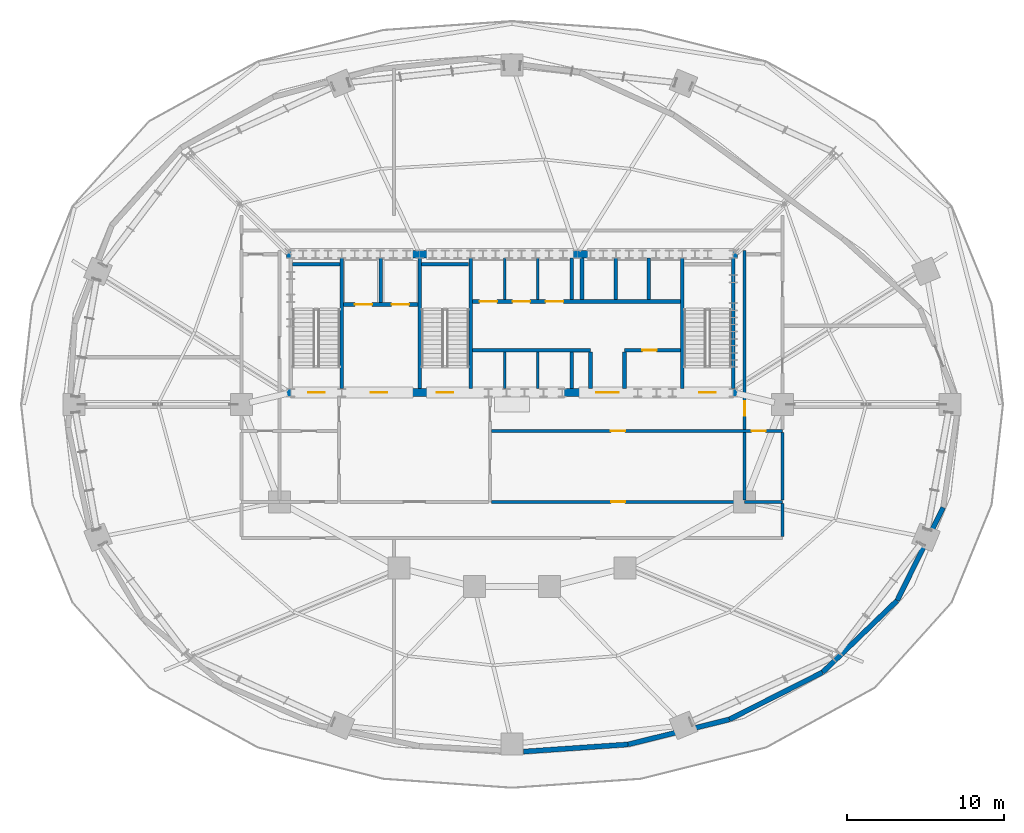
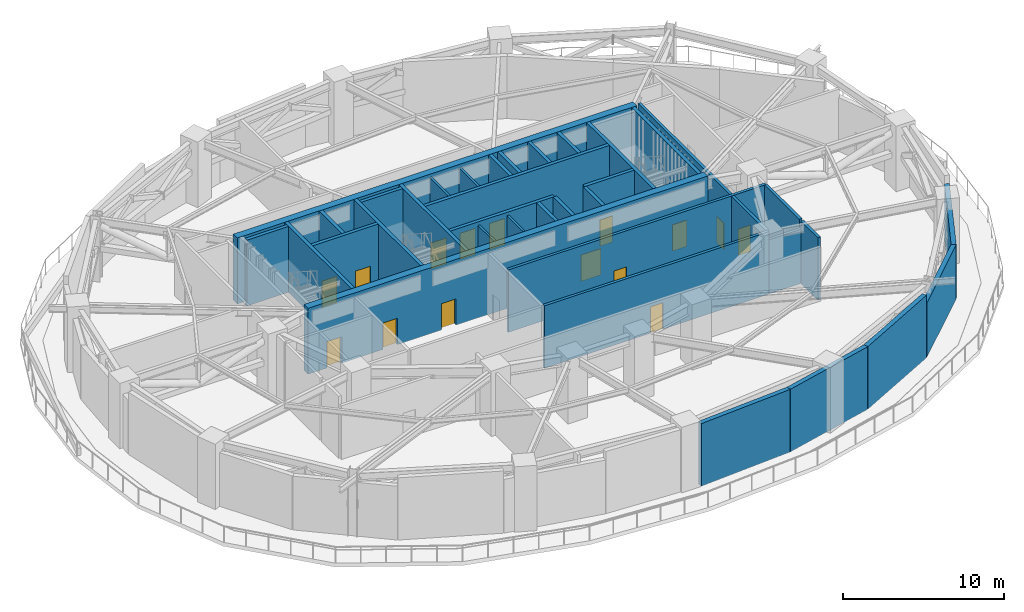
# One storey, part 15 of 18: 37 walls, 15 doors, 15 openings.
"""IFC4 building model written with IfcOpenShell, lengths in metres."""

from ifc_helpers import new_model, si_unit, direction, frame, frame_2d, origin, place, context, subcontext, project, spatial, rectangle, extrude, material, layer, layer_set, type_object, element, fill, save


model = new_model("IFC4")

# Units and contexts
model_context = context("Model", 3, precision=1e-05, world=origin(), true_north=direction((0.0, 1.0)))
body_context = subcontext(model_context, "Body", "Model", "MODEL_VIEW")
ifc_project = project(units=[si_unit("LENGTHUNIT", "METRE"), si_unit("AREAUNIT", "SQUARE_METRE"), si_unit("VOLUMEUNIT", "CUBIC_METRE"), si_unit("PLANEANGLEUNIT", "RADIAN"), si_unit("MASSUNIT", "GRAM", prefix="KILO")], contexts=[model_context])

# Site, building, storey
site_placement = place(None, origin())
site = spatial("IfcSite", under=ifc_project, at=site_placement, CompositionType="ELEMENT")
building_placement = place(site_placement, origin())
building = spatial("IfcBuilding", under=site, at=building_placement, Name="Haldorwick Loom Tower", CompositionType="ELEMENT")
storey_placement = place(building_placement, frame((0.0, 0.0, 76.800048828125)))
storey = spatial("IfcBuildingStorey", under=building, at=storey_placement, Name="L20", CompositionType="ELEMENT", Elevation=76.800048828125)

# Walls
ifc_material_1 = material(Name="Pressed Clay Face Brick and Insulated Masonry Backup Assembly", Category="masonry")
ifc_layer_1 = layer(ifc_material_1, 0.320068359375, Name="Pressed Clay Face Brick and Insulated Masonry Backup Assembly", Category="masonry")
ifc_layer_set_1 = layer_set([ifc_layer_1], Name="Pressed Clay Face Brick and Insulated Masonry Backup Assembly")
wall_type_1 = type_object("IfcWallType", Name="ARC-WL-EXT320", PredefinedType="STANDARD", material=ifc_layer_set_1)
wall_1_placement = place(storey_placement, frame((36.73388671875, 3.91259765625, 0.0), z_axis=(0.0, 0.0, 1.0), x_axis=(0.997666334616, 0.068277996261, 0.0)))
element("IfcWall", 1, at=wall_1_placement, inside=storey, type_object=wall_type_1, Name="L20 Brick Pier and Spandrel Wall 19", PredefinedType="STANDARD", context=body_context, shape_type="SweptSolid", body=[
    extrude(rectangle(XDim=6.65087890625, YDim=0.320068359375, at=frame_2d((3.325439453125, 0.0))), origin(), (0.0, 0.0, 1.0), 4.760009765625),
])
wall_2_placement = place(storey_placement, frame((43.369140625, 4.36669921875, 0.0), z_axis=(0.0, 0.0, 1.0), x_axis=(0.970927298232, 0.239374563286, 0.0)))
element("IfcWall", 2, at=wall_2_placement, inside=storey, type_object=wall_type_1, Name="L20 Brick Pier and Spandrel Wall 20", PredefinedType="STANDARD", context=body_context, shape_type="SweptSolid", body=[
    extrude(rectangle(XDim=6.65380859375, YDim=0.320068359375, at=frame_2d((3.326904296875, 0.0))), origin(), (0.0, 0.0, 1.0), 4.760009765625),
])
wall_3_placement = place(storey_placement, frame((49.82958984375, 5.95947265625, 0.0), z_axis=(0.0, 0.0, 1.0), x_axis=(0.892512503991, 0.451022649342, 0.0)))
element("IfcWall", 3, at=wall_3_placement, inside=storey, type_object=wall_type_1, Name="L20 Brick Pier and Spandrel Wall 21", PredefinedType="STANDARD", context=body_context, shape_type="SweptSolid", body=[
    extrude(rectangle(XDim=6.633056640625, YDim=0.320068359375, at=frame_2d((3.31640625, 0.0))), origin(), (0.0, 0.0, 1.0), 4.760009765625),
])
wall_4_placement = place(storey_placement, frame((55.749755859375, 8.951171875, 0.0), z_axis=(0.0, 0.0, 1.0), x_axis=(0.720465361319, 0.69349092506, 0.0)))
element("IfcWall", 4, at=wall_4_placement, inside=storey, type_object=wall_type_1, Name="L20 Brick Pier and Spandrel Wall 22", PredefinedType="STANDARD", context=body_context, shape_type="SweptSolid", body=[
    extrude(rectangle(XDim=6.59814453125, YDim=0.320068359375, at=frame_2d((3.299072265625, 0.0))), origin(), (0.0, 0.0, 1.0), 4.118896484375),
])
wall_5_placement = place(storey_placement, frame((60.50341796875, 13.52685546875, 0.0), z_axis=(0.0, 0.0, 1.0), x_axis=(0.443285429299, 0.896380515279, 0.0)))
element("IfcWall", 5, at=wall_5_placement, inside=storey, type_object=wall_type_1, Name="L20 Brick Pier and Spandrel Wall 23", PredefinedType="STANDARD", context=body_context, shape_type="SweptSolid", body=[
    extrude(rectangle(XDim=6.59521484375, YDim=0.320068359375, at=frame_2d((3.297607421875, 0.0))), origin(), (0.0, 0.0, 1.0), 4.118896484375),
])

# Wall, openings, doors
ifc_material_2 = material(Name="Fire-Rated Type X Gypsum Stud Assembly EI 120")
ifc_layer_2 = layer(ifc_material_2, 0.199951171875, Name="Fire-Rated Type X Gypsum Stud Assembly EI 120")
ifc_layer_set_2 = layer_set([ifc_layer_2], Name="Fire-Rated Type X Gypsum Stud Assembly EI 120")
wall_type_2 = type_object("IfcWallType", Name="ARC-WL-FIRE200", PredefinedType="PARTITIONING", material=ifc_layer_set_2)
wall_6_placement = place(storey_placement, frame((34.702880859375, 24.300048828125, 0.0), z_axis=(0.0, 0.0, 1.0), x_axis=(1.0, 0.0, 0.0)))
wall_6 = element("IfcWall", 6, at=wall_6_placement, inside=storey, type_object=wall_type_2, Name="L20 Interior Partition L20-PC-S2", PredefinedType="PARTITIONING", context=body_context, shape_type="SweptSolid", body=[
    extrude(rectangle(XDim=18.4970703125, YDim=0.199951171875, at=frame_2d((9.24853515625, 0.0))), origin(), (0.0, 0.0, 1.0), 4.744873046875),
])
opening_1_placement = place(wall_6_placement, frame((7.58740234375, 0.0, 0.0)))
opening_1 = element("IfcOpeningElement", 7, at=opening_1_placement, cuts=wall_6, Name="Opening D-FD60A", PredefinedType="OPENING", context=body_context, shape_type="SweptSolid", body=[
    extrude(rectangle(XDim=0.89990234375, YDim=2.0, at=frame_2d((0.449951171875, 1.0))), frame((0.0, 0.10986328125, 0.0), z_axis=(0.0, -1.0, 0.0), x_axis=(1.0, 0.0, 0.0)), (0.0, 0.0, 1.0), 0.219970703125),
])
opening_2_placement = place(wall_6_placement, frame((16.53564453125, 0.0, 0.0)))
opening_2 = element("IfcOpeningElement", 8, at=opening_2_placement, cuts=wall_6, Name="Opening D-FD60A", PredefinedType="OPENING", context=body_context, shape_type="SweptSolid", body=[
    extrude(rectangle(XDim=0.89990234375, YDim=2.0, at=frame_2d((0.449951171875, 1.0))), frame((0.0, 0.10986328125, 0.0), z_axis=(0.0, -1.0, 0.0), x_axis=(1.0, 0.0, 0.0)), (0.0, 0.0, 1.0), 0.219970703125),
])
ifc_material_3 = material(Name="Hollow Steel Fire Door Assembly", Category="steel")
door_type_1 = type_object("IfcDoorType", Name="ARC-DR-FD60-90", OperationType="NOTDEFINED", PredefinedType="DOOR", material=ifc_material_3)
door_1_placement = place(opening_1_placement, origin())
door_1 = element("IfcDoor", 9, at=door_1_placement, inside=storey, type_object=door_type_1, Name="L20 East Plant Exit Corridor to Electrical Transformer Room 6 Door", OperationType="SINGLE_SWING_RIGHT", OverallHeight=2.0, OverallWidth=0.89990234375, PredefinedType="DOOR", context=body_context, shape_type="SweptSolid", body=[
    extrude(rectangle(XDim=0.89990234375, YDim=2.0, at=frame_2d((0.449951171875, 1.0))), frame((0.0, 0.02490234375, 0.0), z_axis=(0.0, -1.0, 0.0), x_axis=(1.0, 0.0, 0.0)), (0.0, 0.0, 1.0), 0.050048828125),
])
fill(opening_1, door_1)
door_2_placement = place(opening_2_placement, origin())
door_2 = element("IfcDoor", 10, at=door_2_placement, inside=storey, type_object=door_type_1, Name="L20 East Mechanical Corridor to Pump and Tank Plant 7 Door", OperationType="SINGLE_SWING_RIGHT", OverallHeight=2.0, OverallWidth=0.89990234375, PredefinedType="DOOR", context=body_context, shape_type="SweptSolid", body=[
    extrude(rectangle(XDim=0.89990234375, YDim=2.0, at=frame_2d((0.449951171875, 1.0))), frame((0.0, 0.02490234375, 0.0), z_axis=(0.0, -1.0, 0.0), x_axis=(1.0, 0.0, 0.0)), (0.0, 0.0, 1.0), 0.050048828125),
])
fill(opening_2, door_2)

# Wall
wall_7_placement = place(storey_placement, frame((50.800048828125, 19.800048828125, 0.0), z_axis=(0.0, 0.0, 1.0), x_axis=(1.0, 0.0, 0.0)))
element("IfcWall", 11, at=wall_7_placement, inside=storey, type_object=wall_type_2, Name="L20 Interior Partition L20-PC-S4E", PredefinedType="PARTITIONING", context=body_context, shape_type="SweptSolid", body=[
    extrude(rectangle(XDim=2.39990234375, YDim=0.199951171875, at=frame_2d((1.199951171875, 0.0))), origin(), (0.0, 0.0, 1.0), 4.117919921875),
])

# Wall, opening, door
wall_8_placement = place(storey_placement, frame((34.702880859375, 19.800048828125, 0.0), z_axis=(0.0, 0.0, 1.0), x_axis=(1.0, 0.0, 0.0)))
wall_8 = element("IfcWall", 12, at=wall_8_placement, inside=storey, type_object=wall_type_2, Name="L20 Interior Partition L20-PC-S4", PredefinedType="PARTITIONING", context=body_context, shape_type="SweptSolid", body=[
    extrude(rectangle(XDim=16.09716796875, YDim=0.199951171875, at=frame_2d((8.048583984375, 0.0))), origin(), (0.0, 0.0, 1.0), 4.744873046875),
])
opening_3_placement = place(wall_8_placement, frame((7.598388671875, 0.0, 0.0)))
opening_3 = element("IfcOpeningElement", 13, at=opening_3_placement, cuts=wall_8, Name="Opening D-FD60A", PredefinedType="OPENING", context=body_context, shape_type="SweptSolid", body=[
    extrude(rectangle(XDim=0.89990234375, YDim=2.0, at=frame_2d((0.449951171875, 1.0))), frame((0.0, 0.10986328125, 0.0), z_axis=(0.0, -1.0, 0.0), x_axis=(1.0, 0.0, 0.0)), (0.0, 0.0, 1.0), 0.219970703125),
])
door_3_placement = place(opening_3_placement, frame((0.89990234375, 0.0, 0.0), z_axis=(0.0, 0.0, 1.0), x_axis=(-1.0, 0.0, 0.0)))
door_3 = element("IfcDoor", 14, at=door_3_placement, inside=storey, type_object=door_type_1, Name="L20 Electrical Transformer Room 6 to South Plant Service Corridor Door", OperationType="SINGLE_SWING_LEFT", OverallHeight=2.0, OverallWidth=0.89990234375, PredefinedType="DOOR", context=body_context, shape_type="SweptSolid", body=[
    extrude(rectangle(XDim=0.89990234375, YDim=2.0, at=frame_2d((0.449951171875, 1.0))), frame((0.0, 0.02490234375, 0.0), z_axis=(0.0, -1.0, 0.0), x_axis=(1.0, 0.0, 0.0)), (0.0, 0.0, 1.0), 0.050048828125),
])
fill(opening_3, door_3)

# Walls
wall_9_placement = place(storey_placement, frame((53.199951171875, 17.60302734375, 0.0), z_axis=(0.0, 0.0, 1.0), x_axis=(0.0, 1.0, 0.0)))
element("IfcWall", 15, at=wall_9_placement, inside=storey, type_object=wall_type_2, Name="L20 Interior Partition L20-PC-E1", PredefinedType="PARTITIONING", context=body_context, shape_type="SweptSolid", body=[
    extrude(rectangle(XDim=2.093994140625, YDim=0.199951171875, at=frame_2d((1.046875, 0.0))), origin(), (0.0, 0.0, 1.0), 4.744873046875),
])
for number, where, z_axis, x_axis, name in (
    (16, (53.199951171875, 19.903076171875, 0.0), (0.0, 0.0, 1.0), (0.0, 1.0, 0.0), "L20 Interior Partition L20-PC-E1"),
    (17, (50.800048828125, 19.903076171875, 0.0), (0.0, 0.0, 1.0), (0.0, 1.0, 0.0), "L20 Interior Partition L20-PC-E2"),
):
    element("IfcWall", number, at=place(storey_placement, frame(where, z_axis=z_axis, x_axis=x_axis)), inside=storey, type_object=wall_type_2, Name=name, PredefinedType="PARTITIONING", context=body_context, shape_type="SweptSolid", body=[
        extrude(rectangle(XDim=4.2939453125, YDim=0.199951171875, at=frame_2d((2.14697265625, 0.0))), origin(), (0.0, 0.0, 1.0), 4.744873046875),
    ])

# Wall, opening, door
wall_10_placement = place(storey_placement, frame((50.800048828125, 24.403076171875, 0.0), z_axis=(0.0, 0.0, 1.0), x_axis=(0.0, 1.0, 0.0)))
wall_10 = element("IfcWall", 18, at=wall_10_placement, inside=storey, type_object=wall_type_2, Name="L20 Interior Partition L20-PC-E2", PredefinedType="PARTITIONING", context=body_context, shape_type="SweptSolid", body=[
    extrude(rectangle(XDim=11.39697265625, YDim=0.199951171875, at=frame_2d((5.698486328125, 0.0))), origin(), (0.0, 0.0, 1.0), 4.744873046875),
])
opening_4_placement = place(wall_10_placement, frame((0.88037109375, 0.0, 0.0)))
opening_4 = element("IfcOpeningElement", 19, at=opening_4_placement, cuts=wall_10, Name="Opening D-FD60A", PredefinedType="OPENING", context=body_context, shape_type="SweptSolid", body=[
    extrude(rectangle(XDim=0.89990234375, YDim=2.0, at=frame_2d((0.449951171875, 1.0))), frame((0.0, 0.10986328125, 0.0), z_axis=(0.0, -1.0, 0.0), x_axis=(1.0, 0.0, 0.0)), (0.0, 0.0, 1.0), 0.219970703125),
])
door_4_placement = place(opening_4_placement, origin())
door_4 = element("IfcDoor", 20, at=door_4_placement, inside=storey, type_object=door_type_1, Name="L20 East Plant Exit Corridor to East Mechanical Corridor Door", OperationType="SINGLE_SWING_RIGHT", OverallHeight=2.0, OverallWidth=0.89990234375, PredefinedType="DOOR", context=body_context, shape_type="SweptSolid", body=[
    extrude(rectangle(XDim=0.89990234375, YDim=2.0, at=frame_2d((0.449951171875, 1.0))), frame((0.0, 0.02490234375, 0.0), z_axis=(0.0, -1.0, 0.0), x_axis=(1.0, 0.0, 0.0)), (0.0, 0.0, 1.0), 0.050048828125),
])
fill(opening_4, door_4)

# Walls
ifc_layer_3 = layer(ifc_material_2, 0.1650390625, Name="Fire-Rated Type X Gypsum Stud Assembly EI 120")
ifc_layer_set_3 = layer_set([ifc_layer_3], Name="Fire-Rated Type X Gypsum Stud Assembly EI 120")
wall_type_3 = type_object("IfcWallType", Name="ARC-WL-SHAFT160", PredefinedType="MOVABLE", material=ifc_layer_set_3)
for number, where, z_axis, x_axis, name in (
    (21, (35.550048828125, 32.673095703125, 0.0), (0.0, 0.0, 1.0), (0.0, 1.0, 0.0), "L20 Low-Rise Hoistway Divider 1"),
    (22, (37.64990234375, 32.673095703125, 0.0), (0.0, 0.0, 1.0), (0.0, 1.0, 0.0), "L20 Low-Rise Hoistway Divider 2"),
):
    element("IfcWall", number, at=place(storey_placement, frame(where, z_axis=z_axis, x_axis=x_axis)), inside=storey, type_object=wall_type_3, Name=name, PredefinedType="MOVABLE", context=body_context, shape_type="SweptSolid", body=[
        extrude(rectangle(XDim=2.6240234375, YDim=0.159912109375, at=frame_2d((1.31201171875, 0.0))), origin(), (0.0, 0.0, 1.0), 4.744873046875),
    ])
for number, where, z_axis, x_axis, name in (
    (23, (35.550048828125, 27.0029296875, 0.0), (0.0, 0.0, 1.0), (0.0, 1.0, 0.0), "L20 Mid-Rise Hoistway Divider 1"),
    (24, (37.64990234375, 27.0029296875, 0.0), (0.0, 0.0, 1.0), (0.0, 1.0, 0.0), "L20 Mid-Rise Hoistway Divider 2"),
):
    element("IfcWall", number, at=place(storey_placement, frame(where, z_axis=z_axis, x_axis=x_axis)), inside=storey, type_object=wall_type_3, Name=name, PredefinedType="MOVABLE", context=body_context, shape_type="SweptSolid", body=[
        extrude(rectangle(XDim=2.323974609375, YDim=0.159912109375, at=frame_2d((1.162109375, 0.0))), origin(), (0.0, 0.0, 1.0), 4.744873046875),
    ])

# Wall, openings, doors
ifc_material_4 = material(Name="Concrete C60 (60 MPa)", Category="concrete")
ifc_layer_4 = layer(ifc_material_4, 0.5, Name="Concrete C60 (60 MPa)", Category="concrete")
ifc_layer_set_4 = layer_set([ifc_layer_4], Name="Concrete C60 (60 MPa)")
wall_type_4 = type_object("IfcWallType", Name="STR-WL-CORE500", PredefinedType="SHEAR", material=ifc_layer_set_4)
wall_11_placement = place(storey_placement, frame((21.64990234375, 26.75, 0.0), z_axis=(0.0, 0.0, 1.0), x_axis=(1.0, 0.0, 0.0)))
wall_11 = element("IfcWall", 25, at=wall_11_placement, inside=storey, type_object=wall_type_4, Name="L20 Core Shear Wall S", PredefinedType="SHEAR", context=body_context, shape_type="SweptSolid", body=[
    extrude(rectangle(XDim=28.7001953125, YDim=0.5, at=frame_2d((14.35009765625, 0.0))), origin(), (0.0, 0.0, 1.0), 5.0),
])
opening_5_placement = place(wall_11_placement, frame((1.375, 0.0, 0.0)))
opening_5 = element("IfcOpeningElement", 26, at=opening_5_placement, cuts=wall_11, Name="Opening D-FD60", PredefinedType="OPENING", context=body_context, shape_type="SweptSolid", body=[
    extrude(rectangle(XDim=1.050048828125, YDim=2.0, at=frame_2d((0.52490234375, 1.0))), frame((0.0, 0.260009765625, 0.0), z_axis=(0.0, -1.0, 0.0), x_axis=(1.0, 0.0, 0.0)), (0.0, 0.0, 1.0), 0.52001953125),
])
opening_6_placement = place(wall_11_placement, frame((5.375, 0.0, 0.0)))
opening_6 = element("IfcOpeningElement", 27, at=opening_6_placement, cuts=wall_11, Name="Opening D-FD60", PredefinedType="OPENING", context=body_context, shape_type="SweptSolid", body=[
    extrude(rectangle(XDim=1.050048828125, YDim=2.0, at=frame_2d((0.52490234375, 1.0))), frame((0.0, 0.260009765625, 0.0), z_axis=(0.0, -1.0, 0.0), x_axis=(1.0, 0.0, 0.0)), (0.0, 0.0, 1.0), 0.52001953125),
])
opening_7_placement = place(wall_11_placement, frame((9.574951171875, 0.0, 0.0)))
opening_7 = element("IfcOpeningElement", 28, at=opening_7_placement, cuts=wall_11, Name="Opening D-FD60", PredefinedType="OPENING", context=body_context, shape_type="SweptSolid", body=[
    extrude(rectangle(XDim=1.050048828125, YDim=2.0, at=frame_2d((0.52490234375, 1.0))), frame((0.0, 0.260009765625, 0.0), z_axis=(0.0, -1.0, 0.0), x_axis=(1.0, 0.0, 0.0)), (0.0, 0.0, 1.0), 0.52001953125),
])
opening_8_placement = place(wall_11_placement, frame((19.705078125, 0.0, 0.0)))
opening_8 = element("IfcOpeningElement", 29, at=opening_8_placement, cuts=wall_11, Name="Opening D-LB15", PredefinedType="OPENING", context=body_context, shape_type="SweptSolid", body=[
    extrude(rectangle(XDim=1.449951171875, YDim=2.0, at=frame_2d((0.72509765625, 1.0))), frame((0.0, 0.260009765625, 0.0), z_axis=(0.0, -1.0, 0.0), x_axis=(1.0, 0.0, 0.0)), (0.0, 0.0, 1.0), 0.52001953125),
])
opening_9_placement = place(wall_11_placement, frame((26.27490234375, 0.0, 0.0)))
opening_9 = element("IfcOpeningElement", 30, at=opening_9_placement, cuts=wall_11, Name="Opening D-FD60", PredefinedType="OPENING", context=body_context, shape_type="SweptSolid", body=[
    extrude(rectangle(XDim=1.050048828125, YDim=2.0, at=frame_2d((0.52490234375, 1.0))), frame((0.0, 0.260009765625, 0.0), z_axis=(0.0, -1.0, 0.0), x_axis=(1.0, 0.0, 0.0)), (0.0, 0.0, 1.0), 0.52001953125),
])
door_type_2 = type_object("IfcDoorType", Name="ARC-DR-FD60", OperationType="NOTDEFINED", PredefinedType="DOOR", material=ifc_material_3)
door_5_placement = place(opening_5_placement, origin())
door_5 = element("IfcDoor", 31, at=door_5_placement, inside=storey, type_object=door_type_2, Name="L20 Exit Stair ST-01 Fire Door", OperationType="SINGLE_SWING_RIGHT", OverallHeight=2.0, OverallWidth=1.050048828125, PredefinedType="DOOR", context=body_context, shape_type="SweptSolid", body=[
    extrude(rectangle(XDim=1.050048828125, YDim=2.0, at=frame_2d((0.52490234375, 1.0))), frame((0.0, 0.02490234375, 0.0), z_axis=(0.0, -1.0, 0.0), x_axis=(1.0, 0.0, 0.0)), (0.0, 0.0, 1.0), 0.050048828125),
])
fill(opening_5, door_5)
door_6_placement = place(opening_6_placement, origin())
door_6 = element("IfcDoor", 32, at=door_6_placement, inside=storey, type_object=door_type_2, Name="L20 Firefighting Lift Lobby Fire Door", OperationType="SINGLE_SWING_LEFT", OverallHeight=2.0, OverallWidth=1.050048828125, PredefinedType="DOOR", context=body_context, shape_type="SweptSolid", body=[
    extrude(rectangle(XDim=1.050048828125, YDim=2.0, at=frame_2d((0.52490234375, 1.0))), frame((0.0, 0.02490234375, 0.0), z_axis=(0.0, -1.0, 0.0), x_axis=(1.0, 0.0, 0.0)), (0.0, 0.0, 1.0), 0.050048828125),
])
fill(opening_6, door_6)
door_7_placement = place(opening_7_placement, origin())
door_7 = element("IfcDoor", 33, at=door_7_placement, inside=storey, type_object=door_type_2, Name="L20 Exit Stair ST-03 Fire Door", OperationType="SINGLE_SWING_LEFT", OverallHeight=2.0, OverallWidth=1.050048828125, PredefinedType="DOOR", context=body_context, shape_type="SweptSolid", body=[
    extrude(rectangle(XDim=1.050048828125, YDim=2.0, at=frame_2d((0.52490234375, 1.0))), frame((0.0, 0.02490234375, 0.0), z_axis=(0.0, -1.0, 0.0), x_axis=(1.0, 0.0, 0.0)), (0.0, 0.0, 1.0), 0.050048828125),
])
fill(opening_7, door_7)
door_8_placement = place(opening_9_placement, origin())
door_8 = element("IfcDoor", 34, at=door_8_placement, inside=storey, type_object=door_type_2, Name="L20 Exit Stair ST-02 Fire Door", OperationType="SINGLE_SWING_LEFT", OverallHeight=2.0, OverallWidth=1.050048828125, PredefinedType="DOOR", context=body_context, shape_type="SweptSolid", body=[
    extrude(rectangle(XDim=1.050048828125, YDim=2.0, at=frame_2d((0.52490234375, 1.0))), frame((0.0, 0.02490234375, 0.0), z_axis=(0.0, -1.0, 0.0), x_axis=(1.0, 0.0, 0.0)), (0.0, 0.0, 1.0), 0.050048828125),
])
fill(opening_9, door_8)
ifc_material_5 = material(Name="Thermally Broken Anodized Aluminium and Tempered Glass", Category="aluminium")
door_type_3 = type_object("IfcDoorType", Name="ARC-DR-LOB150", OperationType="NOTDEFINED", PredefinedType="DOOR", material=ifc_material_5)
door_9_placement = place(opening_8_placement, frame((1.449951171875, 0.0, 0.0), z_axis=(0.0, 0.0, 1.0), x_axis=(-1.0, 0.0, 0.0)))
door_9 = element("IfcDoor", 35, at=door_9_placement, inside=storey, type_object=door_type_3, Name="L20 Passenger Lift Lobby Fire Door", OperationType="DOUBLE_DOOR_SINGLE_SWING", OverallHeight=2.0, OverallWidth=1.449951171875, PredefinedType="DOOR", context=body_context, shape_type="SweptSolid", body=[
    extrude(rectangle(XDim=1.449951171875, YDim=2.0, at=frame_2d((0.72509765625, 1.0))), frame((0.0, 0.02490234375, 0.0), z_axis=(0.0, -1.0, 0.0), x_axis=(1.0, 0.0, 0.0)), (0.0, 0.0, 1.0), 0.050048828125),
])
fill(opening_8, door_9)

# Walls
wall_12_placement = place(storey_placement, frame((50.35009765625, 35.550048828125, 0.0), z_axis=(0.0, 0.0, 1.0), x_axis=(-1.0, 0.0, 0.0)))
element("IfcWall", 36, at=wall_12_placement, inside=storey, type_object=wall_type_4, Name="L20 Core Shear Wall N", PredefinedType="SHEAR", context=body_context, shape_type="SweptSolid", body=[
    extrude(rectangle(XDim=28.7001953125, YDim=0.5, at=frame_2d((14.35009765625, 0.0))), origin(), (0.0, 0.0, 1.0), 5.0),
])
ifc_material_6 = material(Name="Concrete C50 (50 MPa)", Category="concrete")
ifc_layer_5 = layer(ifc_material_6, 0.239990234375, Name="Concrete C50 (50 MPa)", Category="concrete")
ifc_layer_set_5 = layer_set([ifc_layer_5], Name="Concrete C50 (50 MPa)")
wall_type_5 = type_object("IfcWallType", Name="STR-WL-SHAFT240", PredefinedType="SHEAR", material=ifc_layer_set_5)
for number, where, z_axis, x_axis, name in (
    (37, (50.070068359375, 27.0029296875, 0.0), (0.0, 0.0, 1.0), (0.0, 1.0, 0.0), "L20 Core Shear Wall E"),
    (38, (25.169921875, 27.0029296875, 0.0), (0.0, 0.0, 1.0), (0.0, 1.0, 0.0), "L20 Core Shear Wall 1"),
):
    element("IfcWall", number, at=place(storey_placement, frame(where, z_axis=z_axis, x_axis=x_axis)), inside=storey, type_object=wall_type_5, Name=name, PredefinedType="SHEAR", context=body_context, shape_type="SweptSolid", body=[
        extrude(rectangle(XDim=8.294189453125, YDim=0.239990234375, at=frame_2d((4.14697265625, 0.0))), origin(), (0.0, 0.0, 1.0), 5.0),
    ])
wall_13_placement = place(storey_placement, frame((22.052978515625, 34.919921875, 0.0), z_axis=(0.0, 0.0, 1.0), x_axis=(1.0, 0.0, 0.0)))
element("IfcWall", 39, at=wall_13_placement, inside=storey, type_object=wall_type_5, Name="L20 Core Shear Wall 1N", PredefinedType="SHEAR", context=body_context, shape_type="SweptSolid", body=[
    extrude(rectangle(XDim=2.994140625, YDim=0.239990234375, at=frame_2d((1.4970703125, 0.0))), origin(), (0.0, 0.0, 1.0), 5.0),
])
for number, where, z_axis, x_axis, name in (
    (40, (30.1298828125, 27.0029296875, 0.0), (0.0, 0.0, 1.0), (0.0, 1.0, 0.0), "L20 Core Shear Wall 2"),
    (41, (33.3701171875, 27.0029296875, 0.0), (0.0, 0.0, 1.0), (0.0, 1.0, 0.0), "L20 Core Shear Wall 3"),
):
    element("IfcWall", number, at=place(storey_placement, frame(where, z_axis=z_axis, x_axis=x_axis)), inside=storey, type_object=wall_type_5, Name=name, PredefinedType="SHEAR", context=body_context, shape_type="SweptSolid", body=[
        extrude(rectangle(XDim=8.294189453125, YDim=0.239990234375, at=frame_2d((4.14697265625, 0.0))), origin(), (0.0, 0.0, 1.0), 5.0),
    ])
wall_14_placement = place(storey_placement, frame((30.2529296875, 34.919921875, 0.0), z_axis=(0.0, 0.0, 1.0), x_axis=(1.0, 0.0, 0.0)))
element("IfcWall", 42, at=wall_14_placement, inside=storey, type_object=wall_type_5, Name="L20 Core Shear Wall 3N", PredefinedType="SHEAR", context=body_context, shape_type="SweptSolid", body=[
    extrude(rectangle(XDim=2.994140625, YDim=0.239990234375, at=frame_2d((1.4970703125, 0.0))), origin(), (0.0, 0.0, 1.0), 5.0),
])
wall_15_placement = place(storey_placement, frame((46.830078125, 27.0029296875, 0.0), z_axis=(0.0, 0.0, 1.0), x_axis=(0.0, 1.0, 0.0)))
element("IfcWall", 43, at=wall_15_placement, inside=storey, type_object=wall_type_5, Name="L20 Core Shear Wall 4", PredefinedType="SHEAR", context=body_context, shape_type="SweptSolid", body=[
    extrude(rectangle(XDim=8.294189453125, YDim=0.239990234375, at=frame_2d((4.14697265625, 0.0))), origin(), (0.0, 0.0, 1.0), 5.0),
])

# Wall, openings, doors
wall_16_placement = place(storey_placement, frame((25.29296875, 32.35009765625, 0.0), z_axis=(0.0, 0.0, 1.0), x_axis=(1.0, 0.0, 0.0)))
wall_16 = element("IfcWall", 44, at=wall_16_placement, inside=storey, type_object=wall_type_5, Name="L20 Core Shear Wall FF", PredefinedType="SHEAR", context=body_context, shape_type="SweptSolid", body=[
    extrude(rectangle(XDim=4.714111328125, YDim=0.239990234375, at=frame_2d((2.35693359375, 0.0))), origin(), (0.0, 0.0, 1.0), 5.0),
])
opening_10_placement = place(wall_16_placement, frame((0.70703125, 0.0, 0.0)))
opening_10 = element("IfcOpeningElement", 45, at=opening_10_placement, cuts=wall_16, Name="Opening LD-FF1", PredefinedType="OPENING", context=body_context, shape_type="SweptSolid", body=[
    extrude(rectangle(XDim=1.10009765625, YDim=2.0, at=frame_2d((0.550048828125, 1.0))), frame((0.0, 0.1298828125, 0.0), z_axis=(0.0, -1.0, 0.0), x_axis=(1.0, 0.0, 0.0)), (0.0, 0.0, 1.0), 0.260009765625),
])
opening_11_placement = place(wall_16_placement, frame((3.056884765625, 0.0, 0.0)))
opening_11 = element("IfcOpeningElement", 46, at=opening_11_placement, cuts=wall_16, Name="Opening LD-FF2", PredefinedType="OPENING", context=body_context, shape_type="SweptSolid", body=[
    extrude(rectangle(XDim=1.10009765625, YDim=2.0, at=frame_2d((0.550048828125, 1.0))), frame((0.0, 0.1298828125, 0.0), z_axis=(0.0, -1.0, 0.0), x_axis=(1.0, 0.0, 0.0)), (0.0, 0.0, 1.0), 0.260009765625),
])
door_type_4 = type_object("IfcDoorType", Name="ARC-DR-LD-FF", OperationType="NOTDEFINED", PredefinedType="USERDEFINED", material=ifc_material_3)
door_10_placement = place(opening_10_placement, origin())
door_10 = element("IfcDoor", 47, at=door_10_placement, inside=storey, type_object=door_type_4, Name="L20 Lift LF-FF1 Sliding Landing Door", ObjectType="LANDING DOOR", OperationType="DOUBLE_DOOR_SLIDING", OverallHeight=2.0, OverallWidth=1.10009765625, PredefinedType="USERDEFINED", context=body_context, shape_type="SweptSolid", body=[
    extrude(rectangle(XDim=1.10009765625, YDim=2.0, at=frame_2d((0.550048828125, 1.0))), frame((0.0, 0.02490234375, 0.0), z_axis=(0.0, -1.0, 0.0), x_axis=(1.0, 0.0, 0.0)), (0.0, 0.0, 1.0), 0.050048828125),
])
fill(opening_10, door_10)
door_11_placement = place(opening_11_placement, origin())
door_11 = element("IfcDoor", 48, at=door_11_placement, inside=storey, type_object=door_type_4, Name="L20 Lift LF-FF2 Sliding Landing Door", ObjectType="LANDING DOOR", OperationType="DOUBLE_DOOR_SLIDING", OverallHeight=2.0, OverallWidth=1.10009765625, PredefinedType="USERDEFINED", context=body_context, shape_type="SweptSolid", body=[
    extrude(rectangle(XDim=1.10009765625, YDim=2.0, at=frame_2d((0.550048828125, 1.0))), frame((0.0, 0.02490234375, 0.0), z_axis=(0.0, -1.0, 0.0), x_axis=(1.0, 0.0, 0.0)), (0.0, 0.0, 1.0), 0.050048828125),
])
fill(opening_11, door_11)

# Wall
wall_17_placement = place(storey_placement, frame((27.64990234375, 32.472900390625, 0.0), z_axis=(0.0, 0.0, 1.0), x_axis=(0.0, 1.0, 0.0)))
element("IfcWall", 49, at=wall_17_placement, inside=storey, type_object=wall_type_5, Name="L20 Core Shear Wall FFD", PredefinedType="SHEAR", context=body_context, shape_type="SweptSolid", body=[
    extrude(rectangle(XDim=2.82421875, YDim=0.239990234375, at=frame_2d((1.412109375, 0.0))), origin(), (0.0, 0.0, 1.0), 5.0),
])

# Wall, openings, doors
wall_18_placement = place(storey_placement, frame((33.492919921875, 32.550048828125, 0.0), z_axis=(0.0, 0.0, 1.0), x_axis=(1.0, 0.0, 0.0)))
wall_18 = element("IfcWall", 50, at=wall_18_placement, inside=storey, type_object=wall_type_5, Name="L20 Core Shear Wall LN", PredefinedType="SHEAR", context=body_context, shape_type="SweptSolid", body=[
    extrude(rectangle(XDim=13.214111328125, YDim=0.239990234375, at=frame_2d((6.60693359375, 0.0))), origin(), (0.0, 0.0, 1.0), 5.0),
])
opening_12_placement = place(wall_18_placement, frame((0.447021484375, 0.0, 0.0)))
opening_12 = element("IfcOpeningElement", 51, at=opening_12_placement, cuts=wall_18, Name="Opening LD-L1", PredefinedType="OPENING", context=body_context, shape_type="SweptSolid", body=[
    extrude(rectangle(XDim=1.1201171875, YDim=2.0, at=frame_2d((0.56005859375, 1.0))), frame((0.0, 0.1298828125, 0.0), z_axis=(0.0, -1.0, 0.0), x_axis=(1.0, 0.0, 0.0)), (0.0, 0.0, 1.0), 0.260009765625),
])
opening_13_placement = place(wall_18_placement, frame((2.547119140625, 0.0, 0.0)))
opening_13 = element("IfcOpeningElement", 52, at=opening_13_placement, cuts=wall_18, Name="Opening LD-L2", PredefinedType="OPENING", context=body_context, shape_type="SweptSolid", body=[
    extrude(rectangle(XDim=1.1201171875, YDim=2.0, at=frame_2d((0.56005859375, 1.0))), frame((0.0, 0.1298828125, 0.0), z_axis=(0.0, -1.0, 0.0), x_axis=(1.0, 0.0, 0.0)), (0.0, 0.0, 1.0), 0.260009765625),
])
opening_14_placement = place(wall_18_placement, frame((4.64697265625, 0.0, 0.0)))
opening_14 = element("IfcOpeningElement", 53, at=opening_14_placement, cuts=wall_18, Name="Opening LD-L3", PredefinedType="OPENING", context=body_context, shape_type="SweptSolid", body=[
    extrude(rectangle(XDim=1.1201171875, YDim=2.0, at=frame_2d((0.56005859375, 1.0))), frame((0.0, 0.1298828125, 0.0), z_axis=(0.0, -1.0, 0.0), x_axis=(1.0, 0.0, 0.0)), (0.0, 0.0, 1.0), 0.260009765625),
])
door_type_5 = type_object("IfcDoorType", Name="ARC-DR-LD-PAX", OperationType="NOTDEFINED", PredefinedType="USERDEFINED", material=ifc_material_3)
door_12_placement = place(opening_12_placement, origin())
door_12 = element("IfcDoor", 54, at=door_12_placement, inside=storey, type_object=door_type_5, Name="L20 Lift LF-L1 Sliding Landing Door", ObjectType="LANDING DOOR", OperationType="DOUBLE_DOOR_SLIDING", OverallHeight=2.0, OverallWidth=1.1201171875, PredefinedType="USERDEFINED", context=body_context, shape_type="SweptSolid", body=[
    extrude(rectangle(XDim=1.1201171875, YDim=2.0, at=frame_2d((0.56005859375, 1.0))), frame((0.0, 0.02490234375, 0.0), z_axis=(0.0, -1.0, 0.0), x_axis=(1.0, 0.0, 0.0)), (0.0, 0.0, 1.0), 0.050048828125),
])
fill(opening_12, door_12)
door_13_placement = place(opening_13_placement, origin())
door_13 = element("IfcDoor", 55, at=door_13_placement, inside=storey, type_object=door_type_5, Name="L20 Lift LF-L2 Sliding Landing Door", ObjectType="LANDING DOOR", OperationType="DOUBLE_DOOR_SLIDING", OverallHeight=2.0, OverallWidth=1.1201171875, PredefinedType="USERDEFINED", context=body_context, shape_type="SweptSolid", body=[
    extrude(rectangle(XDim=1.1201171875, YDim=2.0, at=frame_2d((0.56005859375, 1.0))), frame((0.0, 0.02490234375, 0.0), z_axis=(0.0, -1.0, 0.0), x_axis=(1.0, 0.0, 0.0)), (0.0, 0.0, 1.0), 0.050048828125),
])
fill(opening_13, door_13)
door_14_placement = place(opening_14_placement, origin())
door_14 = element("IfcDoor", 56, at=door_14_placement, inside=storey, type_object=door_type_5, Name="L20 Lift LF-L3 Sliding Landing Door", ObjectType="LANDING DOOR", OperationType="DOUBLE_DOOR_SLIDING", OverallHeight=2.0, OverallWidth=1.1201171875, PredefinedType="USERDEFINED", context=body_context, shape_type="SweptSolid", body=[
    extrude(rectangle(XDim=1.1201171875, YDim=2.0, at=frame_2d((0.56005859375, 1.0))), frame((0.0, 0.02490234375, 0.0), z_axis=(0.0, -1.0, 0.0), x_axis=(1.0, 0.0, 0.0)), (0.0, 0.0, 1.0), 0.050048828125),
])
fill(opening_14, door_14)

# Wall
wall_19_placement = place(storey_placement, frame((33.492919921875, 29.449951171875, 0.0), z_axis=(0.0, 0.0, 1.0), x_axis=(1.0, 0.0, 0.0)))
element("IfcWall", 57, at=wall_19_placement, inside=storey, type_object=wall_type_5, Name="L20 Core Shear Wall LS1", PredefinedType="SHEAR", context=body_context, shape_type="SweptSolid", body=[
    extrude(rectangle(XDim=7.507080078125, YDim=0.239990234375, at=frame_2d((3.75341796875, 0.0))), origin(), (0.0, 0.0, 1.0), 5.0),
])

# Wall, opening, door
wall_20_placement = place(storey_placement, frame((43.14990234375, 29.449951171875, 0.0), z_axis=(0.0, 0.0, 1.0), x_axis=(1.0, 0.0, 0.0)))
wall_20 = element("IfcWall", 58, at=wall_20_placement, inside=storey, type_object=wall_type_5, Name="L20 Core Shear Wall LS2", PredefinedType="SHEAR", context=body_context, shape_type="SweptSolid", body=[
    extrude(rectangle(XDim=3.55712890625, YDim=0.239990234375, at=frame_2d((1.778564453125, 0.0))), origin(), (0.0, 0.0, 1.0), 5.0),
])
opening_15_placement = place(wall_20_placement, frame((1.14990234375, 0.0, 0.0)))
opening_15 = element("IfcOpeningElement", 59, at=opening_15_placement, cuts=wall_20, Name="Opening D-FD60A", PredefinedType="OPENING", context=body_context, shape_type="SweptSolid", body=[
    extrude(rectangle(XDim=0.89990234375, YDim=2.0, at=frame_2d((0.449951171875, 1.0))), frame((0.0, 0.1298828125, 0.0), z_axis=(0.0, -1.0, 0.0), x_axis=(1.0, 0.0, 0.0)), (0.0, 0.0, 1.0), 0.260009765625),
])
door_15_placement = place(opening_15_placement, origin())
door_15 = element("IfcDoor", 60, at=door_15_placement, inside=storey, type_object=door_type_1, Name="L20 Electrical Metering Door", OperationType="SINGLE_SWING_LEFT", OverallHeight=2.0, OverallWidth=0.89990234375, PredefinedType="DOOR", context=body_context, shape_type="SweptSolid", body=[
    extrude(rectangle(XDim=0.89990234375, YDim=2.0, at=frame_2d((0.449951171875, 1.0))), frame((0.0, 0.02490234375, 0.0), z_axis=(0.0, -1.0, 0.0), x_axis=(1.0, 0.0, 0.0)), (0.0, 0.0, 1.0), 0.050048828125),
])
fill(opening_15, door_15)

# Walls
for number, where, z_axis, x_axis, name in (
    (61, (41.0, 27.0029296875, 0.0), (0.0, 0.0, 1.0), (0.0, 1.0, 0.0), "L20 Core Shear Wall THW"),
    (62, (43.14990234375, 27.0029296875, 0.0), (0.0, 0.0, 1.0), (0.0, 1.0, 0.0), "L20 Core Shear Wall THE"),
):
    element("IfcWall", number, at=place(storey_placement, frame(where, z_axis=z_axis, x_axis=x_axis)), inside=storey, type_object=wall_type_5, Name=name, PredefinedType="SHEAR", context=body_context, shape_type="SweptSolid", body=[
        extrude(rectangle(XDim=2.323974609375, YDim=0.239990234375, at=frame_2d((1.162109375, 0.0))), origin(), (0.0, 0.0, 1.0), 5.0),
    ])
for number, where, z_axis, x_axis, name in (
    (63, (39.800048828125, 32.673095703125, 0.0), (0.0, 0.0, 1.0), (0.0, 1.0, 0.0), "L20 Core Shear Wall LHW"),
    (64, (40.449951171875, 32.673095703125, 0.0), (0.0, 0.0, 1.0), (0.0, 1.0, 0.0), "L20 Core Shear Wall H0"),
    (65, (42.60009765625, 32.673095703125, 0.0), (0.0, 0.0, 1.0), (0.0, 1.0, 0.0), "L20 Core Shear Wall H1"),
    (66, (44.699951171875, 32.673095703125, 0.0), (0.0, 0.0, 1.0), (0.0, 1.0, 0.0), "L20 Core Shear Wall H2"),
):
    element("IfcWall", number, at=place(storey_placement, frame(where, z_axis=z_axis, x_axis=x_axis)), inside=storey, type_object=wall_type_5, Name=name, PredefinedType="SHEAR", context=body_context, shape_type="SweptSolid", body=[
        extrude(rectangle(XDim=2.6240234375, YDim=0.239990234375, at=frame_2d((1.31201171875, 0.0))), origin(), (0.0, 0.0, 1.0), 5.0),
    ])
wall_21_placement = place(storey_placement, frame((39.800048828125, 27.0029296875, 0.0), z_axis=(0.0, 0.0, 1.0), x_axis=(0.0, 1.0, 0.0)))
element("IfcWall", 67, at=wall_21_placement, inside=storey, type_object=wall_type_5, Name="L20 Core Shear Wall MRW", PredefinedType="SHEAR", context=body_context, shape_type="SweptSolid", body=[
    extrude(rectangle(XDim=2.323974609375, YDim=0.239990234375, at=frame_2d((1.162109375, 0.0))), origin(), (0.0, 0.0, 1.0), 5.0),
])

save(model, "model.ifc")
